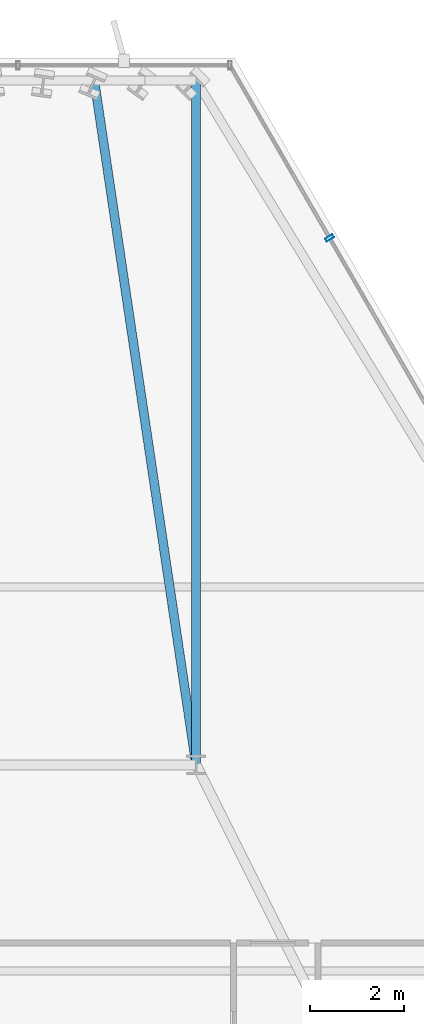
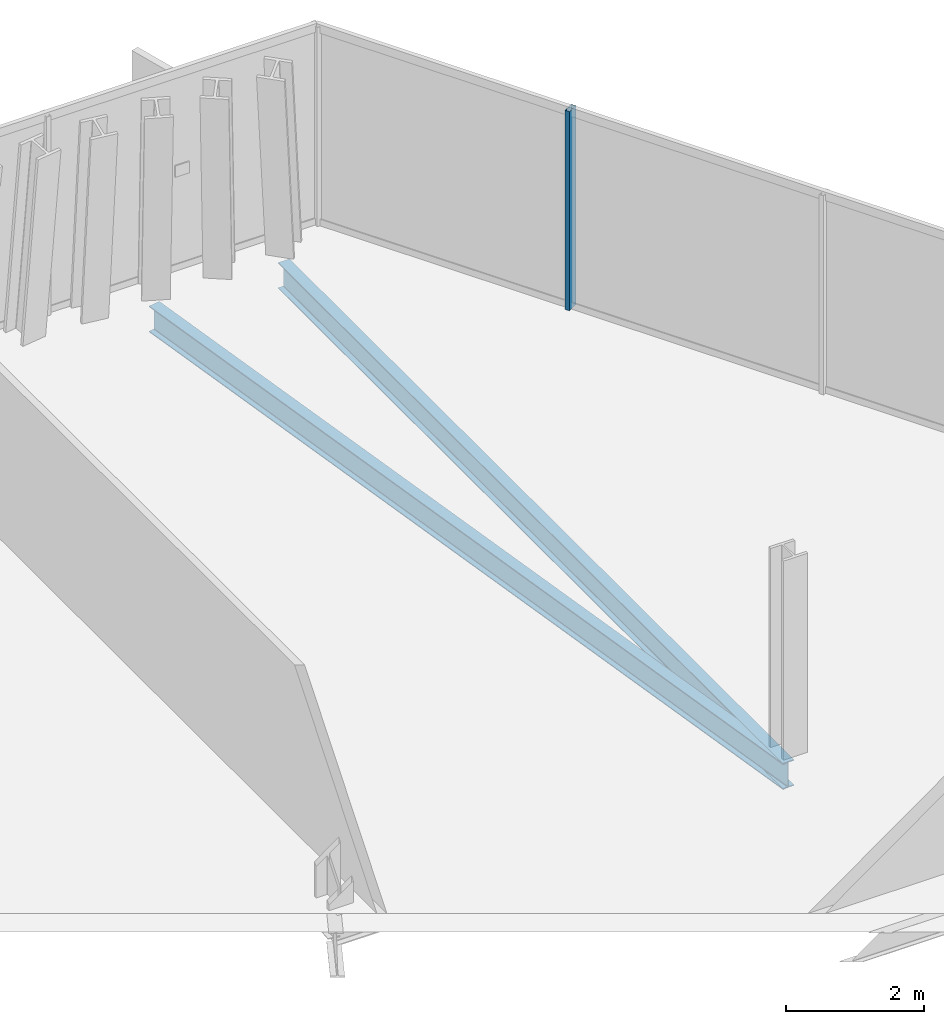
# One storey, part 22 of 34: 2 beams, 1 member, 1 element without a shape of its own.
"""IFC4 building model written with IfcOpenShell, lengths in metres."""

from ifc_helpers import new_model, si_unit, direction, frame, origin, origin_2d, place, context, subcontext, project, spatial, hollow_rectangle, i_section, extrude, material, layer, layer_set, material_profile, profile_set, type_object, element, aggregate, save


model = new_model("IFC4")

# Units and contexts
model_context = context("Model", 3, precision=1e-05, world=origin(), true_north=direction((0.0, 1.0)))
body_context = subcontext(model_context, "Body", "Model", "MODEL_VIEW")
ifc_project = project(units=[si_unit("LENGTHUNIT", "METRE"), si_unit("AREAUNIT", "SQUARE_METRE"), si_unit("VOLUMEUNIT", "CUBIC_METRE"), si_unit("PLANEANGLEUNIT", "RADIAN"), si_unit("MASSUNIT", "GRAM", prefix="KILO")], contexts=[model_context])

# Site, building, storey
site_placement = place(None, origin())
site = spatial("IfcSite", under=ifc_project, at=site_placement, CompositionType="ELEMENT")
building_placement = place(site_placement, origin())
building = spatial("IfcBuilding", under=site, at=building_placement, Name="Ndaravel Arena Tower", CompositionType="ELEMENT")
storey_placement = place(building_placement, frame((0.0, 0.0, 199.199951171875)))
storey = spatial("IfcBuildingStorey", under=building, at=storey_placement, Name="L48", CompositionType="ELEMENT", Elevation=199.199951171875)

# Beams
ifc_material_1 = material(Name="Steel S355", Category="steel")
ifc_material_profile_1 = material_profile(ifc_material_1, i_section(OverallWidth=0.19140625, OverallDepth=0.4599609375, WebThickness=0.010009765625, FlangeThickness=0.01611328125, FilletRadius=0.01025390625, at=origin_2d()), Name="UB 457x191x82")
ifc_profile_set_1 = profile_set([ifc_material_profile_1], Name="Steel S355")
beam_type = type_object("IfcBeamType", Name="BM-GIRD-UB457", PredefinedType="BEAM", material=ifc_profile_set_1)
beam_1_placement = place(storey_placement, frame((45.7958984375, 45.805908203125, -0.449951171875), z_axis=(0.000284157378, -0.999999959627, 0.0), x_axis=(0.999999959627, 0.000284157378, 0.0)))
element("IfcBeam", 1, at=beam_1_placement, inside=storey, type_object=beam_type, Name="L48 Radial Floor Girder FG-11", PredefinedType="BEAM", context=body_context, shape_type="SweptSolid", body=[
    extrude(i_section(OverallWidth=0.19140625, OverallDepth=0.4599609375, WebThickness=0.010009765625, FlangeThickness=0.01611328125, FilletRadius=0.01025390625, at=origin_2d()), origin(), (0.0, 0.0, 1.0), 14.60595703125),
])
beam_2_placement = place(storey_placement, frame((43.626953125, 45.805908203125, -0.449951171875), z_axis=(0.147161602407, -0.989112462148, 0.0), x_axis=(0.989112462148, 0.147161602407, 0.0)))
element("IfcBeam", 2, at=beam_2_placement, inside=storey, type_object=beam_type, Name="L48 Radial Floor Girder FG-13", PredefinedType="BEAM", context=body_context, shape_type="SweptSolid", body=[
    extrude(i_section(OverallWidth=0.19140625, OverallDepth=0.4599609375, WebThickness=0.010009765625, FlangeThickness=0.01611328125, FilletRadius=0.01025390625, at=origin_2d()), origin(), (0.0, 0.0, 1.0), 14.766845703125),
])

# Curtain wall, member
ifc_material_2 = material(Name="Aluminium", Category="aluminium")
ifc_layer = layer(ifc_material_2, 0.179931640625)
ifc_layer_set = layer_set([ifc_layer], Name="Aluminium")
curtain_wall_type = type_object("IfcCurtainWallType", Name="CW-SYS-03", PredefinedType="NOTDEFINED", material=ifc_layer_set)
curtain_wall_placement = place(storey_placement, origin())
curtain_wall = element("IfcCurtainWall", 3, at=curtain_wall_placement, inside=storey, type_object=curtain_wall_type, Name="L48 Faceted Crystal Curtain Wall CW-L48-E03", PredefinedType="NOTDEFINED")
ifc_material_3 = material(Name="Aluminium", Category="aluminium")
ifc_material_profile_2 = material_profile(ifc_material_3, hollow_rectangle(XDim=0.074951171875, YDim=0.179931640625, WallThickness=0.00390625, at=origin_2d()), Name="CW MULLION 75x180x4")
ifc_profile_set_2 = profile_set([ifc_material_profile_2], Name="Aluminium")
member_type = type_object("IfcMemberType", Name="MEM-CW-MUL180", PredefinedType="MULLION", material=ifc_profile_set_2)
member_placement = place(storey_placement, frame((48.6484375, 42.444580078125, 0.0), z_axis=(0.0, 0.0, 1.0), x_axis=(-0.5, 0.866025403784, 0.0)))
member = element("IfcMember", 4, at=member_placement, type_object=member_type, Name="CW-L48-E03 Mullion 08", PredefinedType="MULLION", context=body_context, shape_type="SweptSolid", body=[
    extrude(hollow_rectangle(XDim=0.074951171875, YDim=0.179931640625, WallThickness=0.00390625, at=origin_2d()), origin(), (0.0, 0.0, 1.0), 3.52001953125),
])
aggregate(curtain_wall, [member])

save(model, "model.ifc")
